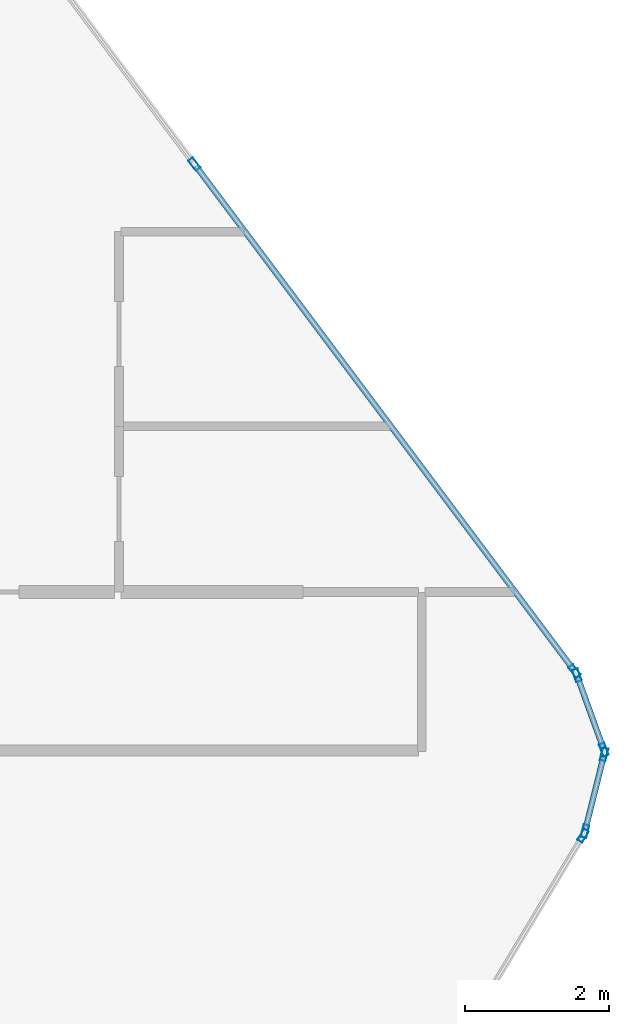
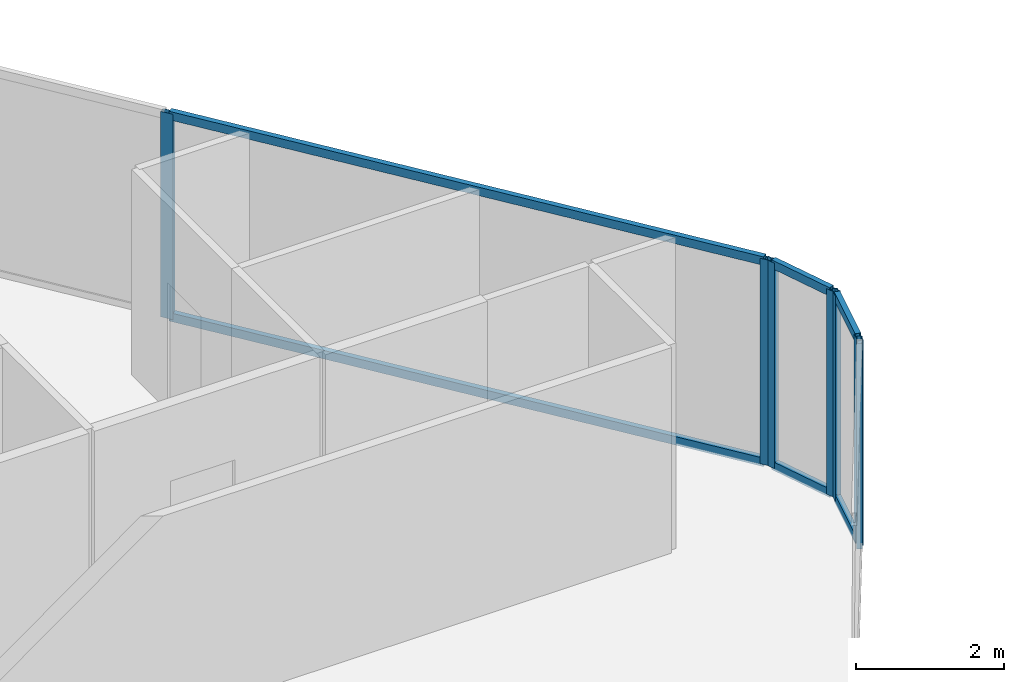
# One storey, part 18 of 30: 13 members, 4 elements without a shape of their own.
"""IFC4 building model written with IfcOpenShell, lengths in metres."""

from ifc_helpers import new_model, si_unit, direction, frame, origin, origin_2d, place, context, subcontext, project, spatial, hollow_rectangle, extrude, material, layer, layer_set, material_profile, profile_set, type_object, element, aggregate, save


model = new_model("IFC4")

# Units and contexts
model_context = context("Model", 3, precision=1e-05, world=origin(), true_north=direction((0.0, 1.0)))
body_context = subcontext(model_context, "Body", "Model", "MODEL_VIEW")
ifc_project = project(units=[si_unit("LENGTHUNIT", "METRE"), si_unit("AREAUNIT", "SQUARE_METRE"), si_unit("VOLUMEUNIT", "CUBIC_METRE"), si_unit("PLANEANGLEUNIT", "RADIAN"), si_unit("MASSUNIT", "GRAM", prefix="KILO")], contexts=[model_context])

# Site, building, storey
site_placement = place(None, origin())
site = spatial("IfcSite", under=ifc_project, at=site_placement, CompositionType="ELEMENT")
building_placement = place(site_placement, origin())
building = spatial("IfcBuilding", under=site, at=building_placement, Name="Keshet Zoharim Tower", CompositionType="ELEMENT")
storey_placement = place(building_placement, frame((0.0, 0.0, 113.10009765625)))
storey = spatial("IfcBuildingStorey", under=building, at=storey_placement, Name="L27", CompositionType="ELEMENT", Elevation=113.10009765625)

# Curtain wall, members
ifc_material = material(Name="Aluminium 6063-T6", Category="aluminium")
ifc_layer = layer(ifc_material, 0.159912109375)
ifc_layer_set = layer_set([ifc_layer], Name="Aluminium 6063-T6")
curtain_wall_type = type_object("IfcCurtainWallType", Name="CW-SYS-03", PredefinedType="NOTDEFINED", material=ifc_layer_set)
curtain_wall_1_placement = place(storey_placement, origin())
curtain_wall_1 = element("IfcCurtainWall", 1, at=curtain_wall_1_placement, inside=storey, type_object=curtain_wall_type, Name="L27 Unitised Curtain Wall 15", PredefinedType="NOTDEFINED")
ifc_material_profile_1 = material_profile(ifc_material, hollow_rectangle(XDim=0.080078125, YDim=0.179931640625, WallThickness=0.00439453125, at=origin_2d()), Name="MUL-80x180")
ifc_profile_set_1 = profile_set([ifc_material_profile_1], Name="Aluminium 6063-T6")
member_type_1 = type_object("IfcMemberType", Name="CWM-M18", PredefinedType="MULLION", material=ifc_profile_set_1)
member_1_placement = place(storey_placement, frame((56.896484375, 46.0380859375, 0.0), z_axis=(0.0, 0.0, 1.0), x_axis=(0.799999999998, 0.600000000002, 0.0)))
member_1 = element("IfcMember", 2, at=member_1_placement, type_object=member_type_1, Name="CW-03 mullion 2", PredefinedType="MULLION", context=body_context, shape_type="SweptSolid", body=[
    extrude(hollow_rectangle(XDim=0.080078125, YDim=0.179931640625, WallThickness=0.00439453125, at=origin_2d()), origin(), (0.0, 0.0, 1.0), 3.385009765625),
])
member_2_placement = place(storey_placement, frame((62.172119140625, 39.00390625, 0.0), z_axis=(0.0, 0.0, 1.0), x_axis=(0.799999999998, 0.600000000002, 0.0)))
member_2 = element("IfcMember", 3, at=member_2_placement, type_object=member_type_1, Name="CW-03 mullion 3", PredefinedType="MULLION", context=body_context, shape_type="SweptSolid", body=[
    extrude(hollow_rectangle(XDim=0.080078125, YDim=0.179931640625, WallThickness=0.00439453125, at=origin_2d()), origin(), (0.0, 0.0, 1.0), 3.385009765625),
])

curtain_wall_2_placement = place(storey_placement, origin())
curtain_wall_2 = element("IfcCurtainWall", 4, at=curtain_wall_2_placement, inside=storey, type_object=curtain_wall_type, Name="L27 Unitised Curtain Wall 16", PredefinedType="NOTDEFINED")
member_3_placement = place(storey_placement, frame((62.204833984375, 38.943115234375, 0.0), z_axis=(0.0, 0.0, 1.0), x_axis=(0.940317877544, 0.340297354046, 0.0)))
member_3 = element("IfcMember", 5, at=member_3_placement, type_object=member_type_1, Name="CW-03 mullion 1", PredefinedType="MULLION", context=body_context, shape_type="SweptSolid", body=[
    extrude(hollow_rectangle(XDim=0.080078125, YDim=0.179931640625, WallThickness=0.00439453125, at=origin_2d()), origin(), (0.0, 0.0, 1.0), 3.385009765625),
])
member_4_placement = place(storey_placement, frame((62.578125, 37.911865234375, 0.0), z_axis=(0.0, 0.0, 1.0), x_axis=(0.940317877544, 0.340297354046, 0.0)))
member_4 = element("IfcMember", 6, at=member_4_placement, type_object=member_type_1, Name="CW-03 mullion 2", PredefinedType="MULLION", context=body_context, shape_type="SweptSolid", body=[
    extrude(hollow_rectangle(XDim=0.080078125, YDim=0.179931640625, WallThickness=0.00439453125, at=origin_2d()), origin(), (0.0, 0.0, 1.0), 3.385009765625),
])

curtain_wall_3_placement = place(storey_placement, origin())
curtain_wall_3 = element("IfcCurtainWall", 7, at=curtain_wall_3_placement, inside=storey, type_object=curtain_wall_type, Name="L27 Unitised Curtain Wall 17", PredefinedType="NOTDEFINED")
member_5_placement = place(storey_placement, frame((62.58154296875, 37.844970703125, 0.0), z_axis=(0.0, 0.0, 1.0), x_axis=(0.970343857447, -0.241728770141, 0.0)))
member_5 = element("IfcMember", 8, at=member_5_placement, type_object=member_type_1, Name="CW-03 mullion 1", PredefinedType="MULLION", context=body_context, shape_type="SweptSolid", body=[
    extrude(hollow_rectangle(XDim=0.080078125, YDim=0.179931640625, WallThickness=0.00439453125, at=origin_2d()), origin(), (0.0, 0.0, 1.0), 3.385009765625),
])
member_6_placement = place(storey_placement, frame((62.31640625, 36.781005859375, 0.0), z_axis=(0.0, 0.0, 1.0), x_axis=(0.970343857447, -0.241728770141, 0.0)))
member_6 = element("IfcMember", 9, at=member_6_placement, type_object=member_type_1, Name="CW-03 mullion 2", PredefinedType="MULLION", context=body_context, shape_type="SweptSolid", body=[
    extrude(hollow_rectangle(XDim=0.080078125, YDim=0.179931640625, WallThickness=0.00439453125, at=origin_2d()), origin(), (0.0, 0.0, 1.0), 3.385009765625),
])

# Curtain wall, member
curtain_wall_4_placement = place(storey_placement, origin())
curtain_wall_4 = element("IfcCurtainWall", 10, at=curtain_wall_4_placement, inside=storey, type_object=curtain_wall_type, Name="L27 Unitised Curtain Wall 18", PredefinedType="NOTDEFINED")
member_7_placement = place(storey_placement, frame((62.2900390625, 36.717041015625, 0.0), z_axis=(0.0, 0.0, 1.0), x_axis=(0.857501477862, -0.514481501576, 0.0)))
member_7 = element("IfcMember", 11, at=member_7_placement, type_object=member_type_1, Name="CW-03 mullion 1", PredefinedType="MULLION", context=body_context, shape_type="SweptSolid", body=[
    extrude(hollow_rectangle(XDim=0.080078125, YDim=0.179931640625, WallThickness=0.00439453125, at=origin_2d()), origin(), (0.0, 0.0, 1.0), 3.385009765625),
])
aggregate(curtain_wall_4, [member_7])

# Member
ifc_material_profile_2 = material_profile(ifc_material, hollow_rectangle(XDim=0.080078125, YDim=0.139892578125, WallThickness=0.00390625, at=origin_2d()), Name="TRN-80x140")
ifc_profile_set_2 = profile_set([ifc_material_profile_2], Name="Aluminium 6063-T6")
member_type_2 = type_object("IfcMemberType", Name="CWT-T14", PredefinedType="USERDEFINED", material=ifc_profile_set_2)
member_8_placement = place(storey_placement, frame((56.91748046875, 46.010009765625, 0.034912109375), z_axis=(0.599991043201, -0.800006717521, 0.0), x_axis=(0.800006717521, 0.599991043201, 0.0)))
member_8 = element("IfcMember", 12, at=member_8_placement, type_object=member_type_2, Name="CW-03 transom 2.1", ObjectType="TRANSOM", PredefinedType="USERDEFINED", context=body_context, shape_type="SweptSolid", body=[
    extrude(hollow_rectangle(XDim=0.080078125, YDim=0.139892578125, WallThickness=0.00390625, at=origin_2d()), origin(), (0.0, 0.0, 1.0), 8.722412109375),
])

member_9_placement = place(storey_placement, frame((56.91748046875, 46.010009765625, 3.349853515625), z_axis=(0.599991043201, -0.800006717521, 0.0), x_axis=(0.800006717521, 0.599991043201, 0.0)))
member_9 = element("IfcMember", 13, at=member_9_placement, type_object=member_type_2, Name="CW-03 transom 2.2", ObjectType="TRANSOM", PredefinedType="USERDEFINED", context=body_context, shape_type="SweptSolid", body=[
    extrude(hollow_rectangle(XDim=0.080078125, YDim=0.139892578125, WallThickness=0.00390625, at=origin_2d()), origin(), (0.0, 0.0, 1.0), 8.722412109375),
])

aggregate(curtain_wall_1, [member_1, member_2, member_8, member_9])

member_10_placement = place(storey_placement, frame((62.216796875, 38.91015625, 0.034912109375), z_axis=(0.340310579984, -0.940313091024, 0.0), x_axis=(0.940313091024, 0.340310579984, 0.0)))
member_10 = element("IfcMember", 14, at=member_10_placement, type_object=member_type_2, Name="CW-03 transom 1.1", ObjectType="TRANSOM", PredefinedType="USERDEFINED", context=body_context, shape_type="SweptSolid", body=[
    extrude(hollow_rectangle(XDim=0.080078125, YDim=0.139892578125, WallThickness=0.00390625, at=origin_2d()), origin(), (0.0, 0.0, 1.0), 1.026611328125),
])

member_11_placement = place(storey_placement, frame((62.216796875, 38.91015625, 3.349853515625), z_axis=(0.340310579984, -0.940313091024, 0.0), x_axis=(0.940313091024, 0.340310579984, 0.0)))
member_11 = element("IfcMember", 15, at=member_11_placement, type_object=member_type_2, Name="CW-03 transom 1.2", ObjectType="TRANSOM", PredefinedType="USERDEFINED", context=body_context, shape_type="SweptSolid", body=[
    extrude(hollow_rectangle(XDim=0.080078125, YDim=0.139892578125, WallThickness=0.00390625, at=origin_2d()), origin(), (0.0, 0.0, 1.0), 1.026611328125),
])

aggregate(curtain_wall_2, [member_3, member_4, member_10, member_11])

member_12_placement = place(storey_placement, frame((62.572998046875, 37.81103515625, 0.034912109375), z_axis=(-0.241640143717, -0.970365931463, 0.0), x_axis=(0.970365931463, -0.241640143717, 0.0)))
member_12 = element("IfcMember", 16, at=member_12_placement, type_object=member_type_2, Name="CW-03 transom 1.1", ObjectType="TRANSOM", PredefinedType="USERDEFINED", context=body_context, shape_type="SweptSolid", body=[
    extrude(hollow_rectangle(XDim=0.080078125, YDim=0.139892578125, WallThickness=0.00390625, at=origin_2d()), origin(), (0.0, 0.0, 1.0), 1.026611328125),
])

member_13_placement = place(storey_placement, frame((62.572998046875, 37.81103515625, 3.349853515625), z_axis=(-0.241640143717, -0.970365931463, 0.0), x_axis=(0.970365931463, -0.241640143717, 0.0)))
member_13 = element("IfcMember", 17, at=member_13_placement, type_object=member_type_2, Name="CW-03 transom 1.2", ObjectType="TRANSOM", PredefinedType="USERDEFINED", context=body_context, shape_type="SweptSolid", body=[
    extrude(hollow_rectangle(XDim=0.080078125, YDim=0.139892578125, WallThickness=0.00390625, at=origin_2d()), origin(), (0.0, 0.0, 1.0), 1.026611328125),
])

aggregate(curtain_wall_3, [member_5, member_6, member_12, member_13])

save(model, "model.ifc")
